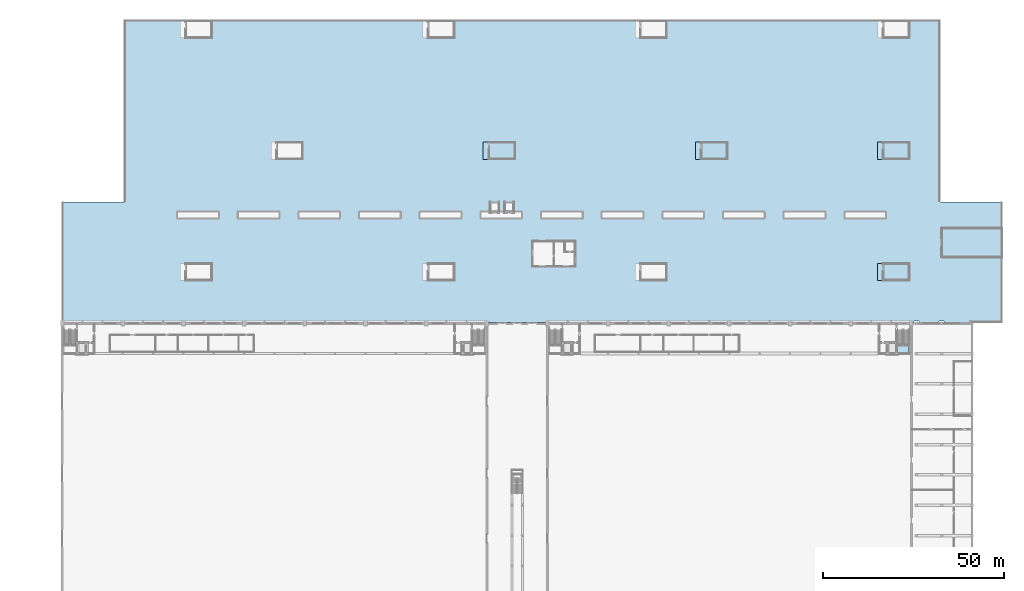
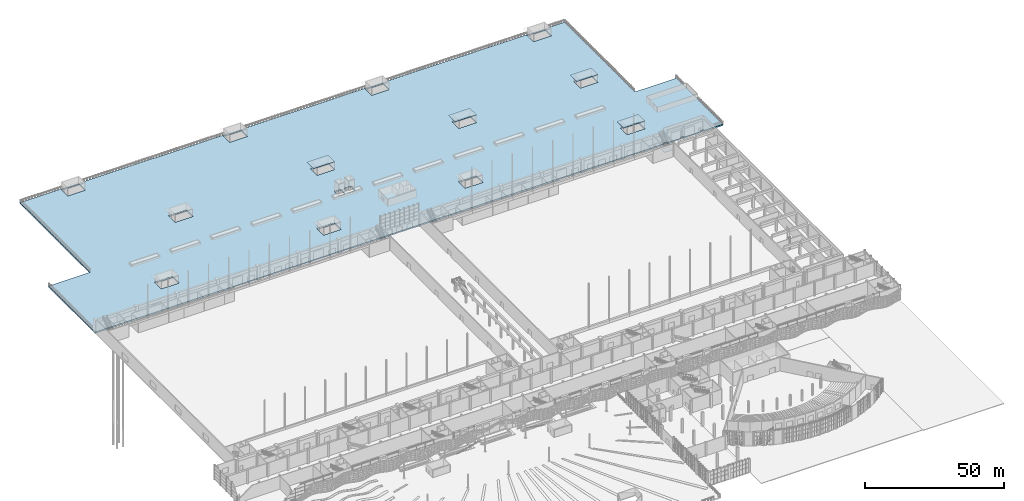
# One storey, part 95 of 210: 6 slabs, 1 element without a shape of its own.
"""IFC4 building model written with IfcOpenShell, lengths in metres."""

from ifc_helpers import new_model, si_unit, direction, frame, origin, place, context, subcontext, project, spatial, polyline, outline, extrude, material, layer, layer_set, type_object, element, aggregate, save


model = new_model("IFC4")

# Units and contexts
model_context = context("Model", 3, precision=1e-05, world=origin(), true_north=direction((0.0, 1.0)))
body_context = subcontext(model_context, "Body", "Model", "MODEL_VIEW")
ifc_project = project(units=[si_unit("LENGTHUNIT", "METRE"), si_unit("AREAUNIT", "SQUARE_METRE"), si_unit("VOLUMEUNIT", "CUBIC_METRE"), si_unit("PLANEANGLEUNIT", "RADIAN"), si_unit("MASSUNIT", "GRAM", prefix="KILO")], contexts=[model_context])

# Site, building, storey
site_placement = place(None, origin())
site = spatial("IfcSite", under=ifc_project, at=site_placement, CompositionType="ELEMENT")
building_placement = place(site_placement, origin())
building = spatial("IfcBuilding", under=site, at=building_placement, Name="Rain Tree Exposition and Congress Centre", CompositionType="ELEMENT")
storey_placement = place(building_placement, origin())
storey = spatial("IfcBuildingStorey", under=building, at=storey_placement, Name="L00", CompositionType="ELEMENT", Elevation=0.0)

# Slabs
ifc_material_1 = material(Name="Concrete C40/50", Category="concrete")
ifc_layer_1 = layer(ifc_material_1, 0.25)
ifc_layer_set_1 = layer_set([ifc_layer_1], Name="Concrete C40/50")
slab_type_1 = type_object("IfcSlabType", Name="Lift roof slab 250", PredefinedType="ROOF", material=ifc_layer_set_1)
slab_1_placement = place(storey_placement, frame((0.0, 0.0, 3.199951171875)))
element("IfcSlab", 1, at=slab_1_placement, inside=storey, type_object=slab_type_1, Name="Exit stair N04 roof and entrance canopy", PredefinedType="ROOF", context=body_context, shape_type="SweptSolid", body=[
    extrude(outline(polyline([(234.199951171875, 213.39990234375), (243.10009765625, 213.39990234375), (243.10009765625, 218.199951171875), (234.199951171875, 218.199951171875), (234.199951171875, 213.39990234375)])), origin(), (0.0, 0.0, 1.0), 0.25),
])
slab_2_placement = place(storey_placement, frame((0.0, 0.0, 3.199951171875)))
element("IfcSlab", 2, at=slab_2_placement, inside=storey, type_object=slab_type_1, Name="Exit stair N06 roof and entrance canopy", PredefinedType="ROOF", context=body_context, shape_type="SweptSolid", body=[
    extrude(outline(polyline([(125.0, 247.0), (133.89990234375, 247.0), (133.89990234375, 251.800048828125), (125.0, 251.800048828125), (125.0, 247.0)])), origin(), (0.0, 0.0, 1.0), 0.25),
])
slab_3_placement = place(storey_placement, frame((0.0, 0.0, 3.199951171875)))
element("IfcSlab", 3, at=slab_3_placement, inside=storey, type_object=slab_type_1, Name="Exit stair N07 roof and entrance canopy", PredefinedType="ROOF", context=body_context, shape_type="SweptSolid", body=[
    extrude(outline(polyline([(183.800048828125, 247.0), (192.699951171875, 247.0), (192.699951171875, 251.800048828125), (183.800048828125, 251.800048828125), (183.800048828125, 247.0)])), origin(), (0.0, 0.0, 1.0), 0.25),
])
slab_4_placement = place(storey_placement, frame((0.0, 0.0, 3.199951171875)))
element("IfcSlab", 4, at=slab_4_placement, inside=storey, type_object=slab_type_1, Name="Exit stair N08 roof and entrance canopy", PredefinedType="ROOF", context=body_context, shape_type="SweptSolid", body=[
    extrude(outline(polyline([(234.199951171875, 247.0), (243.10009765625, 247.0), (243.10009765625, 251.800048828125), (234.199951171875, 251.800048828125), (234.199951171875, 247.0)])), origin(), (0.0, 0.0, 1.0), 0.25),
])
ifc_material_2 = material(Name="Precast concrete C50/60", Category="concrete")
ifc_layer_2 = layer(ifc_material_2, 0.60009765625)
ifc_layer_set_2 = layer_set([ifc_layer_2], Name="Precast concrete C50/60")
slab_type_2 = type_object("IfcSlabType", Name="Post-tensioned flat slab 600", PredefinedType="FLOOR", material=ifc_layer_set_2)
slab_5_placement = place(storey_placement, frame((0.0, 0.0, -0.60009765625)))
element("IfcSlab", 5, at=slab_5_placement, inside=storey, type_object=slab_type_2, Name="North car park deck 1", PredefinedType="FLOOR", context=body_context, shape_type="SweptSolid", body=[
    extrude(outline(polyline([(8.39990234375, 201.800048828125), (244.300048828125, 201.800048828125), (244.300048828125, 202.300048828125), (245.699951171875, 202.300048828125), (245.699951171875, 201.800048828125), (251.300048828125, 201.800048828125), (251.300048828125, 202.300048828125), (252.699951171875, 202.300048828125), (252.699951171875, 201.800048828125), (259.699951171875, 201.800048828125), (259.699951171875, 202.300048828125), (261.10009765625, 202.300048828125), (261.10009765625, 201.800048828125), (268.800048828125, 201.800048828125), (268.800048828125, 235.199951171875), (251.60009765625, 235.199951171875), (251.60009765625, 285.60009765625), (25.60009765625, 285.60009765625), (25.60009765625, 235.199951171875), (8.39990234375, 235.199951171875), (8.39990234375, 201.800048828125)]), holes=[polyline([(42.5, 213.39990234375), (49.89990234375, 213.39990234375), (49.89990234375, 218.199951171875), (42.5, 218.199951171875), (42.5, 213.39990234375)]), polyline([(109.699951171875, 218.199951171875), (109.699951171875, 213.39990234375), (117.10009765625, 213.39990234375), (117.10009765625, 218.199951171875), (109.699951171875, 218.199951171875)]), polyline([(126.800048828125, 235.199951171875), (126.800048828125, 232.10009765625), (129.5, 232.10009765625), (129.5, 235.199951171875), (126.800048828125, 235.199951171875)]), polyline([(67.699951171875, 251.800048828125), (67.699951171875, 247.0), (75.10009765625, 247.0), (75.10009765625, 251.800048828125), (67.699951171875, 251.800048828125)]), polyline([(126.5, 251.800048828125), (126.5, 247.0), (133.89990234375, 247.0), (133.89990234375, 251.800048828125), (126.5, 251.800048828125)]), polyline([(42.5, 285.39990234375), (42.5, 280.60009765625), (49.89990234375, 280.60009765625), (49.89990234375, 285.39990234375), (42.5, 285.39990234375)]), polyline([(109.699951171875, 285.39990234375), (109.699951171875, 280.60009765625), (117.10009765625, 280.60009765625), (117.10009765625, 285.39990234375), (109.699951171875, 285.39990234375)]), polyline([(168.5, 213.39990234375), (175.89990234375, 213.39990234375), (175.89990234375, 218.199951171875), (168.5, 218.199951171875), (168.5, 213.39990234375)]), polyline([(235.699951171875, 218.199951171875), (235.699951171875, 213.39990234375), (243.10009765625, 213.39990234375), (243.10009765625, 218.199951171875), (235.699951171875, 218.199951171875)]), polyline([(130.89990234375, 235.199951171875), (130.89990234375, 232.10009765625), (133.60009765625, 232.10009765625), (133.60009765625, 235.199951171875), (130.89990234375, 235.199951171875)]), polyline([(185.300048828125, 251.800048828125), (185.300048828125, 247.0), (192.699951171875, 247.0), (192.699951171875, 251.800048828125), (185.300048828125, 251.800048828125)]), polyline([(235.699951171875, 251.800048828125), (235.699951171875, 247.0), (243.10009765625, 247.0), (243.10009765625, 251.800048828125), (235.699951171875, 251.800048828125)]), polyline([(168.5, 285.39990234375), (168.5, 280.60009765625), (175.89990234375, 280.60009765625), (175.89990234375, 285.39990234375), (168.5, 285.39990234375)]), polyline([(235.699951171875, 285.39990234375), (235.699951171875, 280.60009765625), (243.10009765625, 280.60009765625), (243.10009765625, 285.39990234375), (235.699951171875, 285.39990234375)])]), origin(), (0.0, 0.0, 1.0), 0.60009765625),
])

# Stair, slab
ifc_material_3 = material(Name="Concrete C40/50", Category="concrete")
stair_type = type_object("IfcStairType", Name="Half-turn stair 1600", PredefinedType="HALF_TURN_STAIR", material=ifc_material_3)
stair_placement = place(storey_placement, origin())
stair = element("IfcStair", 6, at=stair_placement, inside=storey, type_object=stair_type, Name="L00 Stair H8", PredefinedType="HALF_TURN_STAIR")
ifc_material_4 = material(Name="Concrete C40/50", Category="concrete")
ifc_layer_3 = layer(ifc_material_4, 0.199951171875)
ifc_layer_set_3 = layer_set([ifc_layer_3], Name="Concrete C40/50")
slab_type_3 = type_object("IfcSlabType", Name="Stair landing 200", PredefinedType="LANDING", material=ifc_layer_set_3)
slab_6_placement = place(storey_placement, frame((0.0, 0.0, 2.800048828125)))
slab_6 = element("IfcSlab", 7, at=slab_6_placement, type_object=slab_type_3, Name="ST-H8 landing 1", PredefinedType="LANDING", context=body_context, shape_type="SweptSolid", body=[
    extrude(outline(polyline([(239.625, 195.60009765625), (239.625, 193.324951171875), (242.97509765625, 193.324951171875), (242.97509765625, 195.60009765625), (239.625, 195.60009765625)])), origin(), (0.0, 0.0, 1.0), 0.199951171875),
])
aggregate(stair, [slab_6])

save(model, "model.ifc")
